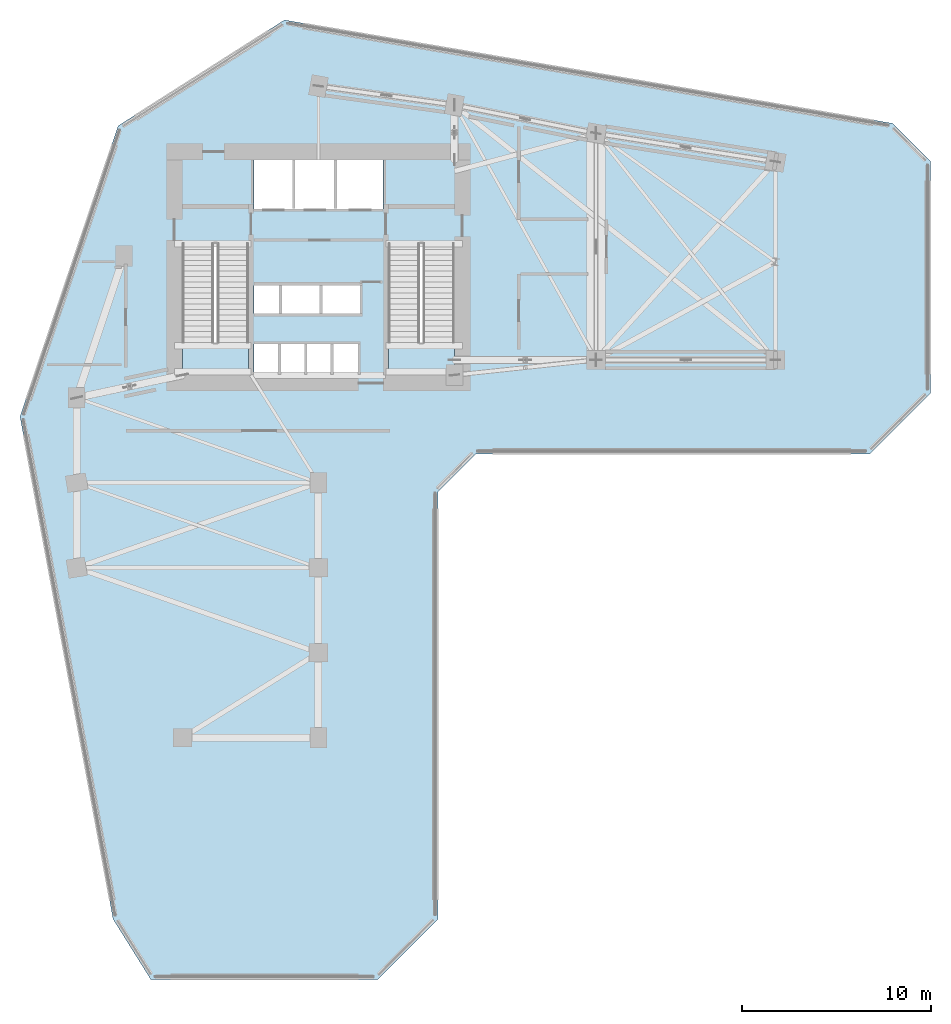
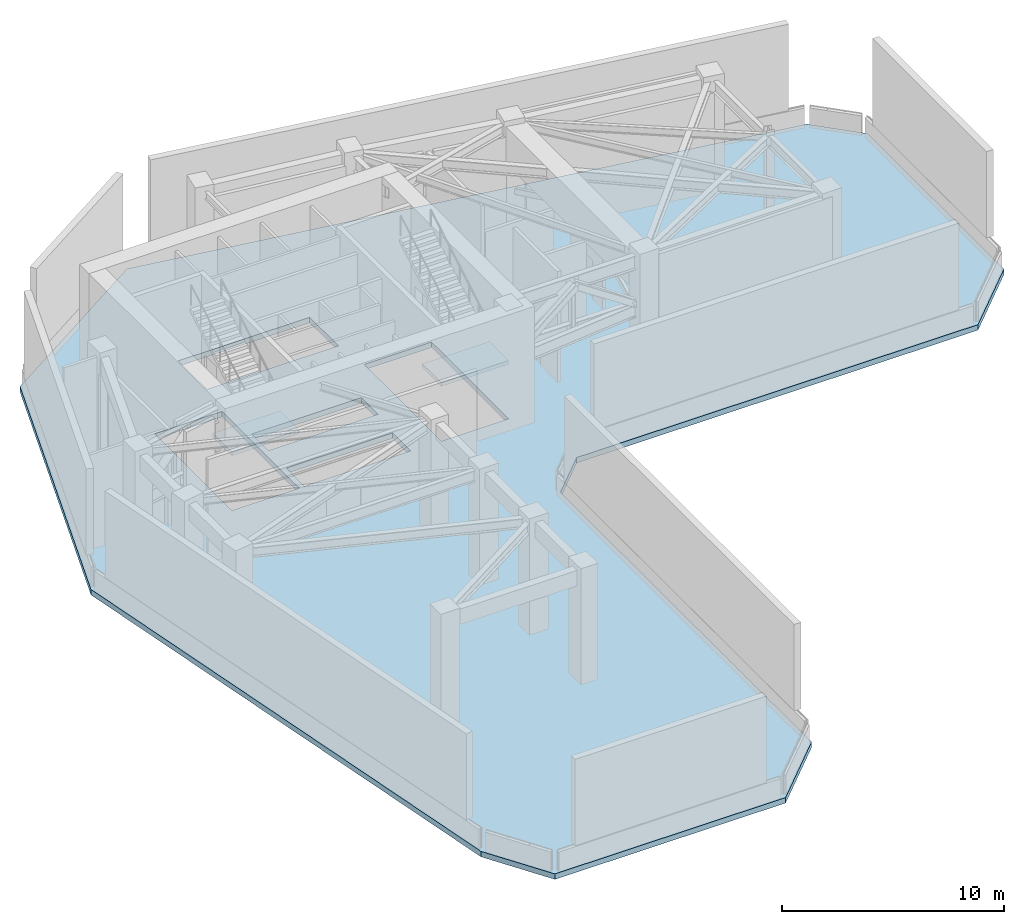
# One storey, part 4 of 10: 3 slabs, 2 elements without a shape of their own.
"""IFC4 building model written with IfcOpenShell, lengths in metres."""

from ifc_helpers import new_model, si_unit, direction, frame, origin, place, context, subcontext, project, spatial, polyline, outline, extrude, material, layer, layer_set, type_object, element, aggregate, save


model = new_model("IFC4")

# Units and contexts
model_context = context("Model", 3, precision=1e-05, world=origin(), true_north=direction((0.0, 1.0)))
body_context = subcontext(model_context, "Body", "Model", "MODEL_VIEW")
ifc_project = project(units=[si_unit("LENGTHUNIT", "METRE"), si_unit("AREAUNIT", "SQUARE_METRE"), si_unit("VOLUMEUNIT", "CUBIC_METRE"), si_unit("PLANEANGLEUNIT", "RADIAN"), si_unit("MASSUNIT", "GRAM", prefix="KILO")], contexts=[model_context])

# Site, building, storey
site_placement = place(None, origin())
site = spatial("IfcSite", under=ifc_project, at=site_placement, CompositionType="ELEMENT")
building_placement = place(site_placement, origin())
building = spatial("IfcBuilding", under=site, at=building_placement, Name="Calvemar Wedge Station Tower", CompositionType="ELEMENT")
storey_placement = place(building_placement, frame((0.0, 0.0, 99.0)))
storey = spatial("IfcBuildingStorey", under=building, at=storey_placement, Name="L24", CompositionType="ELEMENT", Elevation=99.0)

# Slab
ifc_material_1 = material(Name="Concrete C50", Category="concrete")
ifc_layer_1 = layer(ifc_material_1, 0.300048828125)
ifc_layer_set_1 = layer_set([ifc_layer_1], Name="Concrete C50")
slab_type_1 = type_object("IfcSlabType", Name="SL-REF-300", PredefinedType="FLOOR", material=ifc_layer_set_1)
slab_1_placement = place(storey_placement, frame((0.0, 0.0, -0.300048828125)))
element("IfcSlab", 1, at=slab_1_placement, inside=storey, type_object=slab_type_1, Name="Storey L24 Structural Floor Slab", PredefinedType="FLOOR", context=body_context, shape_type="SweptSolid", body=[
    extrude(outline(polyline([(8.0, 32.0), (12.927978515625, 5.39990234375), (14.927978515625, 2.199951171875), (26.927978515625, 2.199951171875), (30.1279296875, 5.39990234375), (30.1279296875, 28.028076171875), (32.1279296875, 30.028076171875), (53.0, 30.028076171875), (56.199951171875, 33.22802734375), (56.199951171875, 45.528076171875), (54.199951171875, 47.528076171875), (22.0, 53.0), (13.199951171875, 47.39990234375), (8.0, 32.0)]), holes=[polyline([(21.739990234375, 35.85009765625), (21.72998046875, 35.85009765625), (20.3798828125, 35.85009765625), (20.3798828125, 34.219970703125), (21.72998046875, 34.219970703125), (21.739990234375, 34.219970703125), (23.1201171875, 34.219970703125), (23.1298828125, 34.219970703125), (24.510009765625, 34.219970703125), (24.52001953125, 34.219970703125), (25.909912109375, 34.219970703125), (25.909912109375, 35.85009765625), (24.52001953125, 35.85009765625), (24.510009765625, 35.85009765625), (23.1298828125, 35.85009765625), (23.1201171875, 35.85009765625), (21.739990234375, 35.85009765625)]), polyline([(16.60009765625, 41.14990234375), (16.60009765625, 34.199951171875), (20.10009765625, 34.199951171875), (20.10009765625, 41.14990234375), (16.60009765625, 41.14990234375)]), polyline([(27.5, 34.199951171875), (31.0, 34.199951171875), (31.0, 41.14990234375), (27.5, 41.14990234375), (27.5, 34.199951171875)]), polyline([(21.7900390625, 37.449951171875), (21.800048828125, 37.449951171875), (23.929931640625, 37.449951171875), (23.93994140625, 37.449951171875), (26.080078125, 37.449951171875), (26.080078125, 38.949951171875), (23.93994140625, 38.949951171875), (23.929931640625, 38.949951171875), (21.800048828125, 38.949951171875), (21.7900390625, 38.949951171875), (20.3798828125, 38.949951171875), (20.3798828125, 37.449951171875), (21.7900390625, 37.449951171875)]), polyline([(20.3798828125, 43.0), (27.219970703125, 43.0), (27.219970703125, 45.580078125), (20.3798828125, 45.580078125), (20.3798828125, 43.0)])]), origin(), (0.0, 0.0, 1.0), 0.300048828125),
])

# Stair, slab
ifc_material_2 = material(Name="Concrete C45", Category="concrete")
stair_type = type_object("IfcStairType", Name="ST-TYPE-6400", PredefinedType="HALF_TURN_STAIR", material=ifc_material_2)
stair_1_placement = place(storey_placement, origin())
stair_1 = element("IfcStair", 2, at=stair_1_placement, inside=storey, type_object=stair_type, Name="L24 Pressurized Core Exit Stair ST-C1", PredefinedType="HALF_TURN_STAIR")
ifc_layer_2 = layer(ifc_material_2, 0.199951171875)
ifc_layer_set_2 = layer_set([ifc_layer_2], Name="Concrete C45")
slab_type_2 = type_object("IfcSlabType", Name="SL-STAIR-LND-200", PredefinedType="LANDING", material=ifc_layer_set_2)
slab_2_placement = place(storey_placement, frame((0.0, 0.0, 3.0)))
slab_2 = element("IfcSlab", 3, at=slab_2_placement, type_object=slab_type_2, Name="ST-C1 landing 1", PredefinedType="LANDING", context=body_context, shape_type="SweptSolid", body=[
    extrude(outline(polyline([(16.60009765625, 35.929931640625), (16.60009765625, 34.199951171875), (20.10009765625, 34.199951171875), (20.10009765625, 35.929931640625), (16.60009765625, 35.929931640625)])), origin(), (0.0, 0.0, 1.0), 0.199951171875),
])
aggregate(stair_1, [slab_2])

stair_2_placement = place(storey_placement, origin())
stair_2 = element("IfcStair", 4, at=stair_2_placement, inside=storey, type_object=stair_type, Name="L24 Pressurized Core Exit Stair ST-C2", PredefinedType="HALF_TURN_STAIR")
slab_3_placement = place(storey_placement, frame((0.0, 0.0, 3.0)))
slab_3 = element("IfcSlab", 5, at=slab_3_placement, type_object=slab_type_2, Name="ST-C2 landing 1", PredefinedType="LANDING", context=body_context, shape_type="SweptSolid", body=[
    extrude(outline(polyline([(27.5, 35.929931640625), (27.5, 34.199951171875), (31.0, 34.199951171875), (31.0, 35.929931640625), (27.5, 35.929931640625)])), origin(), (0.0, 0.0, 1.0), 0.199951171875),
])
aggregate(stair_2, [slab_3])

save(model, "model.ifc")
